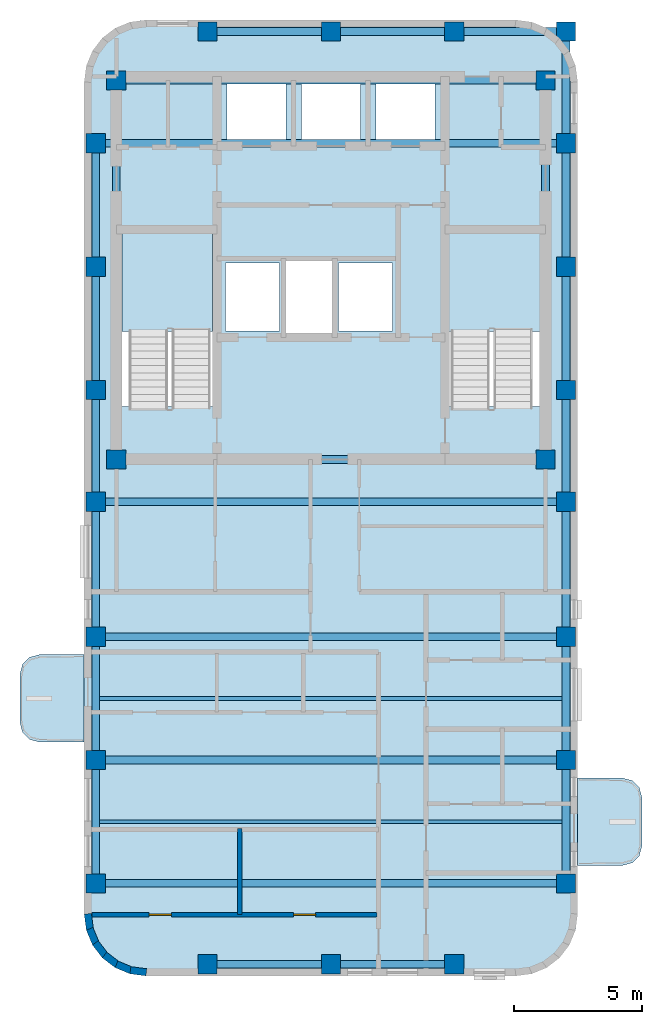
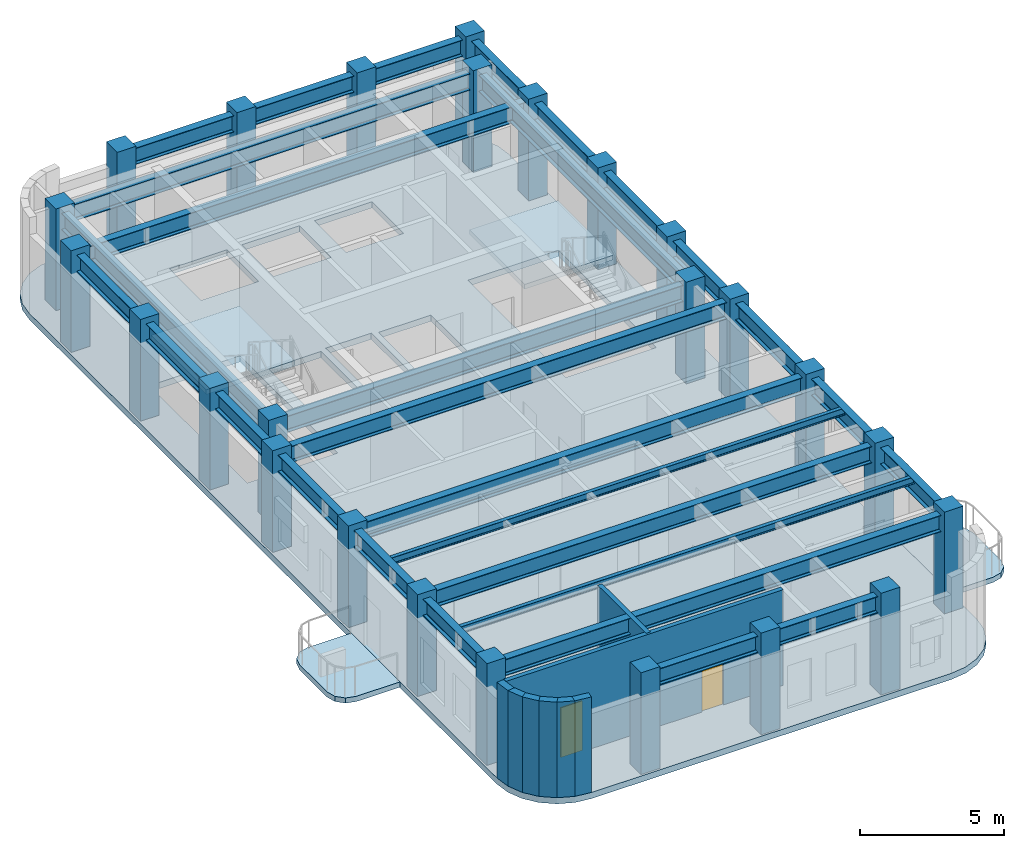
# One storey, part 1 of 6: 29 beams, 25 columns, 8 walls, 5 slabs, 2 doors, 2 openings, 2 elements without a shape of their own.
"""IFC4 building model written with IfcOpenShell, lengths in metres."""

from ifc_helpers import new_model, si_unit, direction, frame, frame_2d, origin, origin_2d, place, context, subcontext, project, spatial, polyline, rectangle, i_section, outline, extrude, material, layer, layer_set, material_profile, profile_set, type_object, element, fill, aggregate, save


model = new_model("IFC4")

# Units and contexts
model_context = context("Model", 3, precision=1e-05, world=origin(), true_north=direction((0.0, 1.0)))
body_context = subcontext(model_context, "Body", "Model", "MODEL_VIEW")
ifc_project = project(units=[si_unit("LENGTHUNIT", "METRE"), si_unit("AREAUNIT", "SQUARE_METRE"), si_unit("VOLUMEUNIT", "CUBIC_METRE"), si_unit("PLANEANGLEUNIT", "RADIAN"), si_unit("MASSUNIT", "GRAM", prefix="KILO")], contexts=[model_context])

# Site, building, storey
site_placement = place(None, origin())
site = spatial("IfcSite", under=ifc_project, at=site_placement, CompositionType="ELEMENT")
building_placement = place(site_placement, origin())
building = spatial("IfcBuilding", under=site, at=building_placement, Name="Orvandelia Arch Residences", CompositionType="ELEMENT")
storey_placement = place(building_placement, frame((0.0, 0.0, 265.60009765625)))
storey = spatial("IfcBuildingStorey", under=building, at=storey_placement, Name="L69", CompositionType="ELEMENT", Elevation=265.60009765625)

# Columns
ifc_material_1 = material(Name="Concrete C50/60", Category="concrete")
ifc_material_profile_1 = material_profile(ifc_material_1, rectangle(XDim=0.75, YDim=0.75, at=origin_2d()), Name="Concrete C50/60", Category="concrete")
ifc_profile_set_1 = profile_set([ifc_material_profile_1], Name="Concrete C50/60")
column_type = type_object("IfcColumnType", Name="COL-TWR-750", PredefinedType="COLUMN", material=ifc_profile_set_1)
for number, where, z_axis, x_axis, name in (
    (1, (5.25, 14.39990234375, 0.0), (0.0, 0.0, 1.0), (1.0, 0.0, 0.0), "Structural Column L69-W-W-144"),
    (2, (5.25, 19.199951171875, 0.0), (0.0, 0.0, 1.0), (1.0, 0.0, 0.0), "Structural Column L69-W-W-192"),
    (3, (5.25, 24.0, 0.0), (0.0, 0.0, 1.0), (1.0, 0.0, 0.0), "Structural Column L69-W-W-240"),
    (4, (5.25, 29.25, 0.0), (0.0, 0.0, 1.0), (1.0, 0.0, 0.0), "Structural Column L69-W-W-292"),
    (5, (5.25, 33.60009765625, 0.0), (0.0, 0.0, 1.0), (1.0, 0.0, 0.0), "Structural Column L69-W-W-336"),
    (6, (5.25, 38.39990234375, 0.0), (0.0, 0.0, 1.0), (1.0, 0.0, 0.0), "Structural Column L69-W-W-384"),
    (7, (5.25, 43.199951171875, 0.0), (0.0, 0.0, 1.0), (1.0, 0.0, 0.0), "Structural Column L69-W-W-432"),
    (8, (6.050048828125, 30.89990234375, 0.0), (0.0, 0.0, 1.0), (1.0, 0.0, 0.0), "Structural Column L69-CR-SW"),
    (9, (6.050048828125, 45.64990234375, 0.0), (0.0, 0.0, 1.0), (1.0, 0.0, 0.0), "Structural Column L69-CR-NW"),
    (10, (9.60009765625, 11.25, 0.0), (0.0, 0.0, 1.0), (1.0, 0.0, 0.0), "Structural Column L69-W-S-96"),
    (11, (9.60009765625, 47.550048828125, 0.0), (0.0, 0.0, 1.0), (1.0, 0.0, 0.0), "Structural Column L69-W-N-96"),
    (12, (14.39990234375, 11.25, 0.0), (0.0, 0.0, 1.0), (1.0, 0.0, 0.0), "Structural Column L69-W-S-144"),
    (13, (14.39990234375, 47.550048828125, 0.0), (0.0, 0.0, 1.0), (1.0, 0.0, 0.0), "Structural Column L69-W-N-144"),
    (14, (19.199951171875, 11.25, 0.0), (0.0, 0.0, 1.0), (1.0, 0.0, 0.0), "Structural Column L69-W-S-192"),
    (15, (19.199951171875, 47.550048828125, 0.0), (0.0, 0.0, 1.0), (1.0, 0.0, 0.0), "Structural Column L69-W-N-192"),
    (16, (22.75, 30.89990234375, 0.0), (0.0, 0.0, 1.0), (1.0, 0.0, 0.0), "Structural Column L69-CR-SE"),
    (17, (22.75, 45.64990234375, 0.0), (0.0, 0.0, 1.0), (1.0, 0.0, 0.0), "Structural Column L69-CR-NE"),
    (18, (23.550048828125, 14.39990234375, 0.0), (0.0, 0.0, 1.0), (1.0, 0.0, 0.0), "Structural Column L69-W-E-144"),
    (19, (23.550048828125, 19.199951171875, 0.0), (0.0, 0.0, 1.0), (1.0, 0.0, 0.0), "Structural Column L69-W-E-192"),
    (20, (23.550048828125, 24.0, 0.0), (0.0, 0.0, 1.0), (1.0, 0.0, 0.0), "Structural Column L69-W-E-240"),
    (21, (23.550048828125, 29.25, 0.0), (0.0, 0.0, 1.0), (1.0, 0.0, 0.0), "Structural Column L69-W-E-292"),
    (22, (23.550048828125, 33.60009765625, 0.0), (0.0, 0.0, 1.0), (1.0, 0.0, 0.0), "Structural Column L69-W-E-336"),
    (23, (23.550048828125, 38.39990234375, 0.0), (0.0, 0.0, 1.0), (1.0, 0.0, 0.0), "Structural Column L69-W-E-384"),
    (24, (23.550048828125, 43.199951171875, 0.0), (0.0, 0.0, 1.0), (1.0, 0.0, 0.0), "Structural Column L69-W-E-432"),
    (25, (23.550048828125, 47.550048828125, 0.0), (0.0, 0.0, 1.0), (1.0, 0.0, 0.0), "Structural Column L69-W-N-235"),
):
    element("IfcColumn", number, at=place(storey_placement, frame(where, z_axis=z_axis, x_axis=x_axis)), inside=storey, type_object=column_type, Name=name, PredefinedType="COLUMN", context=body_context, shape_type="SweptSolid", body=[
        extrude(rectangle(XDim=0.75, YDim=0.75, at=origin_2d()), origin(), (0.0, 0.0, 1.0), 4.2998046875),
    ])

# Beams
ifc_material_2 = material(Name="Structural Steel SM355 (355 MPa)", Category="steel")
ifc_material_profile_2 = material_profile(ifc_material_2, i_section(OverallWidth=0.300048828125, OverallDepth=0.699951171875, WebThickness=0.012939453125, FlangeThickness=0.02392578125, FilletRadius=0.02392578125, at=origin_2d()), Name="Structural Steel SM355 (355 MPa)", Category="steel")
ifc_profile_set_2 = profile_set([ifc_material_profile_2], Name="Structural Steel SM355 (355 MPa)")
beam_type_1 = type_object("IfcBeamType", Name="BM-GRD-H700", PredefinedType="BEAM", material=ifc_profile_set_2)
for number, where, z_axis, x_axis, name in (
    (26, (5.25, 14.39990234375, 3.68994140625), (0.0, 1.0, 0.0), (-1.0, 0.0, 0.0), "Structural Frame Beam L69-NS-001"),
    (27, (5.25, 19.199951171875, 3.68994140625), (0.0, 1.0, 0.0), (-1.0, 0.0, 0.0), "Structural Frame Beam L69-NS-002"),
):
    element("IfcBeam", number, at=place(storey_placement, frame(where, z_axis=z_axis, x_axis=x_axis)), inside=storey, type_object=beam_type_1, Name=name, PredefinedType="BEAM", context=body_context, shape_type="SweptSolid", body=[
        extrude(i_section(OverallWidth=0.300048828125, OverallDepth=0.699951171875, WebThickness=0.012939453125, FlangeThickness=0.02392578125, FilletRadius=0.02392578125, at=origin_2d()), origin(), (0.0, 0.0, 1.0), 4.800048828125),
    ])
beam_1_placement = place(storey_placement, frame((5.25, 24.0, 3.68994140625), z_axis=(0.0, 1.0, 0.0), x_axis=(-1.0, 0.0, 0.0)))
element("IfcBeam", 28, at=beam_1_placement, inside=storey, type_object=beam_type_1, Name="Structural Frame Beam L69-NS-003", PredefinedType="BEAM", context=body_context, shape_type="SweptSolid", body=[
    extrude(i_section(OverallWidth=0.300048828125, OverallDepth=0.699951171875, WebThickness=0.012939453125, FlangeThickness=0.02392578125, FilletRadius=0.02392578125, at=origin_2d()), origin(), (0.0, 0.0, 1.0), 5.25),
])
beam_2_placement = place(storey_placement, frame((5.25, 29.25, 3.68994140625), z_axis=(0.0, 1.0, 0.0), x_axis=(-1.0, 0.0, 0.0)))
element("IfcBeam", 29, at=beam_2_placement, inside=storey, type_object=beam_type_1, Name="Structural Frame Beam L69-NS-004", PredefinedType="BEAM", context=body_context, shape_type="SweptSolid", body=[
    extrude(i_section(OverallWidth=0.300048828125, OverallDepth=0.699951171875, WebThickness=0.012939453125, FlangeThickness=0.02392578125, FilletRadius=0.02392578125, at=origin_2d()), origin(), (0.0, 0.0, 1.0), 4.35009765625),
])
beam_3_placement = place(storey_placement, frame((5.25, 33.60009765625, 3.68994140625), z_axis=(0.0, 1.0, 0.0), x_axis=(-1.0, 0.0, 0.0)))
element("IfcBeam", 30, at=beam_3_placement, inside=storey, type_object=beam_type_1, Name="Structural Frame Beam L69-NS-005", PredefinedType="BEAM", context=body_context, shape_type="SweptSolid", body=[
    extrude(i_section(OverallWidth=0.300048828125, OverallDepth=0.699951171875, WebThickness=0.012939453125, FlangeThickness=0.02392578125, FilletRadius=0.02392578125, at=origin_2d()), origin(), (0.0, 0.0, 1.0), 4.7998046875),
])
beam_4_placement = place(storey_placement, frame((5.25, 38.39990234375, 3.68994140625), z_axis=(0.0, 1.0, 0.0), x_axis=(-1.0, 0.0, 0.0)))
element("IfcBeam", 31, at=beam_4_placement, inside=storey, type_object=beam_type_1, Name="Structural Frame Beam L69-NS-006", PredefinedType="BEAM", context=body_context, shape_type="SweptSolid", body=[
    extrude(i_section(OverallWidth=0.300048828125, OverallDepth=0.699951171875, WebThickness=0.012939453125, FlangeThickness=0.02392578125, FilletRadius=0.02392578125, at=origin_2d()), origin(), (0.0, 0.0, 1.0), 4.800048828125),
])
for number, where, z_axis, x_axis, name in (
    (32, (6.050048828125, 30.89990234375, 3.68994140625), (0.0, 1.0, 0.0), (-1.0, 0.0, 0.0), "Structural Frame Beam L69-NS-007"),
    (33, (22.75, 30.89990234375, 3.68994140625), (0.0, 1.0, 0.0), (-1.0, 0.0, 0.0), "Structural Frame Beam L69-NS-008"),
):
    element("IfcBeam", number, at=place(storey_placement, frame(where, z_axis=z_axis, x_axis=x_axis)), inside=storey, type_object=beam_type_1, Name=name, PredefinedType="BEAM", context=body_context, shape_type="SweptSolid", body=[
        extrude(i_section(OverallWidth=0.300048828125, OverallDepth=0.699951171875, WebThickness=0.012939453125, FlangeThickness=0.02392578125, FilletRadius=0.02392578125, at=origin_2d()), origin(), (0.0, 0.0, 1.0), 14.75),
    ])
for number, where, z_axis, x_axis, name in (
    (34, (23.550048828125, 14.39990234375, 3.68994140625), (0.0, 1.0, 0.0), (-1.0, 0.0, 0.0), "Structural Frame Beam L69-NS-009"),
    (35, (23.550048828125, 19.199951171875, 3.68994140625), (0.0, 1.0, 0.0), (-1.0, 0.0, 0.0), "Structural Frame Beam L69-NS-010"),
):
    element("IfcBeam", number, at=place(storey_placement, frame(where, z_axis=z_axis, x_axis=x_axis)), inside=storey, type_object=beam_type_1, Name=name, PredefinedType="BEAM", context=body_context, shape_type="SweptSolid", body=[
        extrude(i_section(OverallWidth=0.300048828125, OverallDepth=0.699951171875, WebThickness=0.012939453125, FlangeThickness=0.02392578125, FilletRadius=0.02392578125, at=origin_2d()), origin(), (0.0, 0.0, 1.0), 4.800048828125),
    ])
beam_5_placement = place(storey_placement, frame((23.550048828125, 24.0, 3.68994140625), z_axis=(0.0, 1.0, 0.0), x_axis=(-1.0, 0.0, 0.0)))
element("IfcBeam", 36, at=beam_5_placement, inside=storey, type_object=beam_type_1, Name="Structural Frame Beam L69-NS-011", PredefinedType="BEAM", context=body_context, shape_type="SweptSolid", body=[
    extrude(i_section(OverallWidth=0.300048828125, OverallDepth=0.699951171875, WebThickness=0.012939453125, FlangeThickness=0.02392578125, FilletRadius=0.02392578125, at=origin_2d()), origin(), (0.0, 0.0, 1.0), 5.25),
])
beam_6_placement = place(storey_placement, frame((23.550048828125, 29.25, 3.68994140625), z_axis=(0.0, 1.0, 0.0), x_axis=(-1.0, 0.0, 0.0)))
element("IfcBeam", 37, at=beam_6_placement, inside=storey, type_object=beam_type_1, Name="Structural Frame Beam L69-NS-012", PredefinedType="BEAM", context=body_context, shape_type="SweptSolid", body=[
    extrude(i_section(OverallWidth=0.300048828125, OverallDepth=0.699951171875, WebThickness=0.012939453125, FlangeThickness=0.02392578125, FilletRadius=0.02392578125, at=origin_2d()), origin(), (0.0, 0.0, 1.0), 4.35009765625),
])
beam_7_placement = place(storey_placement, frame((23.550048828125, 33.60009765625, 3.68994140625), z_axis=(0.0, 1.0, 0.0), x_axis=(-1.0, 0.0, 0.0)))
element("IfcBeam", 38, at=beam_7_placement, inside=storey, type_object=beam_type_1, Name="Structural Frame Beam L69-NS-013", PredefinedType="BEAM", context=body_context, shape_type="SweptSolid", body=[
    extrude(i_section(OverallWidth=0.300048828125, OverallDepth=0.699951171875, WebThickness=0.012939453125, FlangeThickness=0.02392578125, FilletRadius=0.02392578125, at=origin_2d()), origin(), (0.0, 0.0, 1.0), 4.7998046875),
])
beam_8_placement = place(storey_placement, frame((23.550048828125, 38.39990234375, 3.68994140625), z_axis=(0.0, 1.0, 0.0), x_axis=(-1.0, 0.0, 0.0)))
element("IfcBeam", 39, at=beam_8_placement, inside=storey, type_object=beam_type_1, Name="Structural Frame Beam L69-NS-014", PredefinedType="BEAM", context=body_context, shape_type="SweptSolid", body=[
    extrude(i_section(OverallWidth=0.300048828125, OverallDepth=0.699951171875, WebThickness=0.012939453125, FlangeThickness=0.02392578125, FilletRadius=0.02392578125, at=origin_2d()), origin(), (0.0, 0.0, 1.0), 4.800048828125),
])
beam_9_placement = place(storey_placement, frame((23.550048828125, 43.199951171875, 3.68994140625), z_axis=(0.0, 1.0, 0.0), x_axis=(-1.0, 0.0, 0.0)))
element("IfcBeam", 40, at=beam_9_placement, inside=storey, type_object=beam_type_1, Name="Structural Frame Beam L69-NS-015", PredefinedType="BEAM", context=body_context, shape_type="SweptSolid", body=[
    extrude(i_section(OverallWidth=0.300048828125, OverallDepth=0.699951171875, WebThickness=0.012939453125, FlangeThickness=0.02392578125, FilletRadius=0.02392578125, at=origin_2d()), origin(), (0.0, 0.0, 1.0), 4.35009765625),
])
beam_10_placement = place(storey_placement, frame((9.60009765625, 11.25, 3.68994140625), z_axis=(1.0, 0.0, 0.0), x_axis=(0.0, 1.0, 0.0)))
element("IfcBeam", 41, at=beam_10_placement, inside=storey, type_object=beam_type_1, Name="Structural Frame Girder L69-EW-016", PredefinedType="BEAM", context=body_context, shape_type="SweptSolid", body=[
    extrude(i_section(OverallWidth=0.300048828125, OverallDepth=0.699951171875, WebThickness=0.012939453125, FlangeThickness=0.02392578125, FilletRadius=0.02392578125, at=origin_2d()), origin(), (0.0, 0.0, 1.0), 4.7998046875),
])
beam_11_placement = place(storey_placement, frame((14.39990234375, 11.25, 3.68994140625), z_axis=(1.0, 0.0, 0.0), x_axis=(0.0, 1.0, 0.0)))
element("IfcBeam", 42, at=beam_11_placement, inside=storey, type_object=beam_type_1, Name="Structural Frame Girder L69-EW-017", PredefinedType="BEAM", context=body_context, shape_type="SweptSolid", body=[
    extrude(i_section(OverallWidth=0.300048828125, OverallDepth=0.699951171875, WebThickness=0.012939453125, FlangeThickness=0.02392578125, FilletRadius=0.02392578125, at=origin_2d()), origin(), (0.0, 0.0, 1.0), 4.800048828125),
])
for number, where, z_axis, x_axis, name in (
    (43, (5.25, 14.39990234375, 3.68994140625), (1.0, 0.0, 0.0), (0.0, 1.0, 0.0), "Structural Frame Girder L69-EW-018"),
    (44, (5.25, 19.199951171875, 3.68994140625), (1.0, 0.0, 0.0), (0.0, 1.0, 0.0), "Structural Frame Girder L69-EW-019"),
    (45, (5.25, 24.0, 3.68994140625), (1.0, 0.0, 0.0), (0.0, 1.0, 0.0), "Structural Frame Girder L69-EW-020"),
    (46, (5.25, 29.25, 3.68994140625), (1.0, 0.0, 0.0), (0.0, 1.0, 0.0), "Structural Frame Girder L69-EW-021"),
):
    element("IfcBeam", number, at=place(storey_placement, frame(where, z_axis=z_axis, x_axis=x_axis)), inside=storey, type_object=beam_type_1, Name=name, PredefinedType="BEAM", context=body_context, shape_type="SweptSolid", body=[
        extrude(i_section(OverallWidth=0.300048828125, OverallDepth=0.699951171875, WebThickness=0.012939453125, FlangeThickness=0.02392578125, FilletRadius=0.02392578125, at=origin_2d()), origin(), (0.0, 0.0, 1.0), 18.300048828125),
    ])
beam_12_placement = place(storey_placement, frame((6.050048828125, 30.89990234375, 3.68994140625), z_axis=(1.0, 0.0, 0.0), x_axis=(0.0, 1.0, 0.0)))
element("IfcBeam", 47, at=beam_12_placement, inside=storey, type_object=beam_type_1, Name="Structural Frame Girder L69-EW-022", PredefinedType="BEAM", context=body_context, shape_type="SweptSolid", body=[
    extrude(i_section(OverallWidth=0.300048828125, OverallDepth=0.699951171875, WebThickness=0.012939453125, FlangeThickness=0.02392578125, FilletRadius=0.02392578125, at=origin_2d()), origin(), (0.0, 0.0, 1.0), 16.699951171875),
])
beam_13_placement = place(storey_placement, frame((5.25, 43.199951171875, 3.68994140625), z_axis=(1.0, 0.0, 0.0), x_axis=(0.0, 1.0, 0.0)))
element("IfcBeam", 48, at=beam_13_placement, inside=storey, type_object=beam_type_1, Name="Structural Frame Girder L69-EW-025", PredefinedType="BEAM", context=body_context, shape_type="SweptSolid", body=[
    extrude(i_section(OverallWidth=0.300048828125, OverallDepth=0.699951171875, WebThickness=0.012939453125, FlangeThickness=0.02392578125, FilletRadius=0.02392578125, at=origin_2d()), origin(), (0.0, 0.0, 1.0), 18.300048828125),
])
beam_14_placement = place(storey_placement, frame((6.050048828125, 45.64990234375, 3.68994140625), z_axis=(1.0, 0.0, 0.0), x_axis=(0.0, 1.0, 0.0)))
element("IfcBeam", 49, at=beam_14_placement, inside=storey, type_object=beam_type_1, Name="Structural Frame Girder L69-EW-026", PredefinedType="BEAM", context=body_context, shape_type="SweptSolid", body=[
    extrude(i_section(OverallWidth=0.300048828125, OverallDepth=0.699951171875, WebThickness=0.012939453125, FlangeThickness=0.02392578125, FilletRadius=0.02392578125, at=origin_2d()), origin(), (0.0, 0.0, 1.0), 16.699951171875),
])
beam_15_placement = place(storey_placement, frame((9.60009765625, 47.550048828125, 3.68994140625), z_axis=(1.0, 0.0, 0.0), x_axis=(0.0, 1.0, 0.0)))
element("IfcBeam", 50, at=beam_15_placement, inside=storey, type_object=beam_type_1, Name="Structural Frame Girder L69-EW-027", PredefinedType="BEAM", context=body_context, shape_type="SweptSolid", body=[
    extrude(i_section(OverallWidth=0.300048828125, OverallDepth=0.699951171875, WebThickness=0.012939453125, FlangeThickness=0.02392578125, FilletRadius=0.02392578125, at=origin_2d()), origin(), (0.0, 0.0, 1.0), 4.7998046875),
])
beam_16_placement = place(storey_placement, frame((14.39990234375, 47.550048828125, 3.68994140625), z_axis=(1.0, 0.0, 0.0), x_axis=(0.0, 1.0, 0.0)))
element("IfcBeam", 51, at=beam_16_placement, inside=storey, type_object=beam_type_1, Name="Structural Frame Girder L69-EW-028", PredefinedType="BEAM", context=body_context, shape_type="SweptSolid", body=[
    extrude(i_section(OverallWidth=0.300048828125, OverallDepth=0.699951171875, WebThickness=0.012939453125, FlangeThickness=0.02392578125, FilletRadius=0.02392578125, at=origin_2d()), origin(), (0.0, 0.0, 1.0), 4.800048828125),
])
beam_17_placement = place(storey_placement, frame((19.199951171875, 47.550048828125, 3.68994140625), z_axis=(1.0, 0.0, 0.0), x_axis=(0.0, 1.0, 0.0)))
element("IfcBeam", 52, at=beam_17_placement, inside=storey, type_object=beam_type_1, Name="Structural Frame Girder L69-EW-029", PredefinedType="BEAM", context=body_context, shape_type="SweptSolid", body=[
    extrude(i_section(OverallWidth=0.300048828125, OverallDepth=0.699951171875, WebThickness=0.012939453125, FlangeThickness=0.02392578125, FilletRadius=0.02392578125, at=origin_2d()), origin(), (0.0, 0.0, 1.0), 4.35009765625),
])
ifc_material_profile_3 = material_profile(ifc_material_2, i_section(OverallWidth=0.14990234375, OverallDepth=0.300048828125, WebThickness=0.006591796875, FlangeThickness=0.009033203125, FilletRadius=0.012939453125, at=origin_2d()), Name="Structural Steel SM355 (355 MPa)", Category="steel")
ifc_profile_set_3 = profile_set([ifc_material_profile_3], Name="Structural Steel SM355 (355 MPa)")
beam_type_2 = type_object("IfcBeamType", Name="BM-JST-H300", PredefinedType="JOIST", material=ifc_profile_set_3)
for number, where, z_axis, x_axis, name in (
    (53, (5.25, 16.800048828125, 3.889892578125), (1.0, 0.0, 0.0), (0.0, 1.0, 0.0), "Composite Floor Joist L69-J1"),
    (54, (5.25, 21.60009765625, 3.889892578125), (1.0, 0.0, 0.0), (0.0, 1.0, 0.0), "Composite Floor Joist L69-J2"),
):
    element("IfcBeam", number, at=place(storey_placement, frame(where, z_axis=z_axis, x_axis=x_axis)), inside=storey, type_object=beam_type_2, Name=name, PredefinedType="JOIST", context=body_context, shape_type="SweptSolid", body=[
        extrude(i_section(OverallWidth=0.14990234375, OverallDepth=0.300048828125, WebThickness=0.006591796875, FlangeThickness=0.009033203125, FilletRadius=0.012939453125, at=origin_2d()), origin(), (0.0, 0.0, 1.0), 18.300048828125),
    ])

# Slabs
ifc_material_3 = material(Name="Precast concrete C40/50", Category="concrete")
ifc_layer_1 = layer(ifc_material_3, 0.219970703125, Name="Precast concrete C40/50", Category="concrete")
ifc_layer_set_1 = layer_set([ifc_layer_1], Name="Precast concrete C40/50")
slab_type_1 = type_object("IfcSlabType", Name="SLB-BAL-220", PredefinedType="USERDEFINED", material=ifc_layer_set_1)
slab_1_placement = place(storey_placement, frame((0.0, 0.0, -0.22021484375)))
element("IfcSlab", 55, at=slab_1_placement, inside=storey, type_object=slab_type_1, Name="Tree Balcony Cantilever Slab BAL-L69-W1", ObjectType="BALCONY", PredefinedType="USERDEFINED", context=body_context, shape_type="SweptSolid", body=[
    extrude(outline(polyline([(4.800048828125, 19.89990234375), (4.800048828125, 23.300048828125), (3.050048828125, 23.300048828125), (2.675048828125, 23.199462890625), (2.400390625, 22.925048828125), (2.300048828125, 22.550048828125), (2.300048828125, 20.64990234375), (2.400390625, 20.27490234375), (2.675048828125, 20.00048828125), (3.050048828125, 19.89990234375), (4.800048828125, 19.89990234375)])), origin(), (0.0, 0.0, 1.0), 0.22021484375),
])
slab_2_placement = place(storey_placement, frame((0.0, 0.0, -0.22021484375)))
element("IfcSlab", 56, at=slab_2_placement, inside=storey, type_object=slab_type_1, Name="Tree Balcony Cantilever Slab BAL-L69-W2", ObjectType="BALCONY", PredefinedType="USERDEFINED", context=body_context, shape_type="SweptSolid", body=[
    extrude(outline(polyline([(24.0, 18.5), (24.0, 15.10009765625), (25.75, 15.10009765625), (26.125, 15.200439453125), (26.3994140625, 15.47509765625), (26.5, 15.85009765625), (26.5, 17.75), (26.3994140625, 18.125), (26.125, 18.3994140625), (25.75, 18.5), (24.0, 18.5)])), origin(), (0.0, 0.0, 1.0), 0.22021484375),
])

# Stair, slab
ifc_material_4 = material(Name="Concrete C40/50", Category="concrete")
stair_type = type_object("IfcStairType", Name="STAIR-RC-DOGLEG", PredefinedType="HALF_TURN_STAIR", material=ifc_material_4)
stair_1_placement = place(storey_placement, origin())
stair_1 = element("IfcStair", 57, at=stair_1_placement, inside=storey, type_object=stair_type, Name="L69 Protected Exit Stair ST-1", PredefinedType="HALF_TURN_STAIR")
ifc_layer_2 = layer(ifc_material_4, 0.219970703125, Name="Concrete C40/50", Category="concrete")
ifc_layer_set_2 = layer_set([ifc_layer_2], Name="Concrete C40/50")
slab_type_2 = type_object("IfcSlabType", Name="SLB-LANDING-220", PredefinedType="LANDING", material=ifc_layer_set_2)
slab_3_placement = place(storey_placement, frame((0.0, 0.0, 1.949951171875)))
slab_3 = element("IfcSlab", 58, at=slab_3_placement, type_object=slab_type_2, Name="ST-1 landing 1", PredefinedType="LANDING", context=body_context, shape_type="SweptSolid", body=[
    extrude(outline(polyline([(9.800048828125, 35.8701171875), (9.800048828125, 39.68994140625), (6.260009765625, 39.68994140625), (6.260009765625, 35.8701171875), (9.800048828125, 35.8701171875)])), origin(), (0.0, 0.0, 1.0), 0.199951171875),
])
aggregate(stair_1, [slab_3])

stair_2_placement = place(storey_placement, origin())
stair_2 = element("IfcStair", 59, at=stair_2_placement, inside=storey, type_object=stair_type, Name="L69 Protected Exit Stair ST-2", PredefinedType="HALF_TURN_STAIR")
slab_4_placement = place(storey_placement, frame((0.0, 0.0, 1.949951171875)))
slab_4 = element("IfcSlab", 60, at=slab_4_placement, type_object=slab_type_2, Name="ST-2 landing 1", PredefinedType="LANDING", context=body_context, shape_type="SweptSolid", body=[
    extrude(outline(polyline([(22.5400390625, 35.8701171875), (22.5400390625, 39.68994140625), (19.0, 39.68994140625), (19.0, 35.8701171875), (22.5400390625, 35.8701171875)])), origin(), (0.0, 0.0, 1.0), 0.199951171875),
])
aggregate(stair_2, [slab_4])

# Slab
ifc_layer_3 = layer(ifc_material_4, 0.260009765625, Name="Concrete C40/50", Category="concrete")
ifc_layer_set_3 = layer_set([ifc_layer_3], Name="Concrete C40/50")
slab_type_3 = type_object("IfcSlabType", Name="SLB-TWR-260", PredefinedType="FLOOR", material=ifc_layer_set_3)
slab_5_placement = place(storey_placement, frame((0.0, 0.0, -0.260009765625)))
element("IfcSlab", 61, at=slab_5_placement, inside=storey, type_object=slab_type_3, Name="Structural Floor Slab L69-1", PredefinedType="FLOOR", context=body_context, shape_type="SweptSolid", body=[
    extrude(outline(polyline([(4.800048828125, 13.199951171875), (4.8818359375, 12.578857421875), (5.12158203125, 12.0), (5.5029296875, 11.5029296875), (6.0, 11.12158203125), (6.578857421875, 10.8818359375), (7.199951171875, 10.800048828125), (21.60009765625, 10.800048828125), (22.22119140625, 10.8818359375), (22.800048828125, 11.12158203125), (23.297119140625, 11.5029296875), (23.678466796875, 12.0), (23.918212890625, 12.578857421875), (24.0, 13.199951171875), (24.0, 45.60009765625), (23.918212890625, 46.22119140625), (23.678466796875, 46.800048828125), (23.297119140625, 47.297119140625), (22.800048828125, 47.678466796875), (22.22119140625, 47.918212890625), (21.60009765625, 48.0), (7.199951171875, 48.0), (6.578857421875, 47.918212890625), (6.0, 47.678466796875), (5.5029296875, 47.297119140625), (5.12158203125, 46.800048828125), (4.8818359375, 46.22119140625), (4.800048828125, 45.60009765625), (4.800048828125, 13.199951171875)]), holes=[polyline([(6.219970703125, 32.949951171875), (9.840087890625, 32.949951171875), (9.840087890625, 39.72998046875), (6.219970703125, 39.72998046875), (6.219970703125, 32.949951171875)]), polyline([(18.9599609375, 32.949951171875), (22.580078125, 32.949951171875), (22.580078125, 39.72998046875), (18.9599609375, 39.72998046875), (18.9599609375, 32.949951171875)]), polyline([(12.639892578125, 35.81005859375), (14.4599609375, 35.81005859375), (14.4599609375, 38.639892578125), (12.639892578125, 38.639892578125), (12.639892578125, 35.81005859375)]), polyline([(10.300048828125, 35.89990234375), (12.39990234375, 35.89990234375), (12.39990234375, 38.550048828125), (10.300048828125, 38.550048828125), (10.300048828125, 35.89990234375)]), polyline([(14.699951171875, 35.89990234375), (16.800048828125, 35.89990234375), (16.800048828125, 38.550048828125), (14.699951171875, 38.550048828125), (14.699951171875, 35.89990234375)]), polyline([(10.35009765625, 43.300048828125), (12.64990234375, 43.300048828125), (12.64990234375, 45.5), (10.35009765625, 45.5), (10.35009765625, 43.300048828125)]), polyline([(13.25, 43.300048828125), (15.550048828125, 43.300048828125), (15.550048828125, 45.5), (13.25, 45.5), (13.25, 43.300048828125)]), polyline([(16.14990234375, 43.300048828125), (18.449951171875, 43.300048828125), (18.449951171875, 45.5), (16.14990234375, 45.5), (16.14990234375, 43.300048828125)])]), origin(), (0.0, 0.0, 1.0), 0.260009765625),
])

# Walls
ifc_layer_4 = layer(ifc_material_3, 0.280029296875, Name="Precast concrete C40/50", Category="concrete")
ifc_layer_set_4 = layer_set([ifc_layer_4], Name="Precast concrete C40/50")
wall_type_1 = type_object("IfcWallType", Name="WL-EXT-STONE-280", PredefinedType="STANDARD", material=ifc_layer_set_4)
wall_1_placement = place(storey_placement, frame((7.21826171875, 10.938720703125, 0.0), z_axis=(0.0, 0.0, 1.0), x_axis=(-0.9914410257, 0.130555323746, 0.0)))
element("IfcWall", 62, at=wall_1_placement, inside=storey, type_object=wall_type_1, Name="Coral-Limestone Precast Facade Wall L69-022", PredefinedType="STANDARD", context=body_context, shape_type="SweptSolid", body=[
    extrude(rectangle(XDim=0.62646484375, YDim=0.280029296875, at=frame_2d((0.313232421875, 0.0))), origin(), (0.0, 0.0, 1.0), 4.039794921875),
])
wall_2_placement = place(storey_placement, frame((6.63232421875, 11.010986328125, 0.0), z_axis=(0.0, 0.0, 1.0), x_axis=(-0.923836271867, 0.382787856107, 0.0)))
element("IfcWall", 63, at=wall_2_placement, inside=storey, type_object=wall_type_1, Name="Coral-Limestone Precast Facade Wall L69-023", PredefinedType="STANDARD", context=body_context, shape_type="SweptSolid", body=[
    extrude(rectangle(XDim=0.626220703125, YDim=0.280029296875, at=frame_2d((0.31298828125, 0.0))), origin(), (0.0, 0.0, 1.0), 4.039794921875),
])
for number, where, z_axis, x_axis, name in (
    (64, (6.085205078125, 11.232666015625, 0.0), (0.0, 0.0, 1.0), (-0.793405610854, 0.608693302629, 0.0), "Coral-Limestone Precast Facade Wall L69-024"),
    (65, (5.614013671875, 11.588134765625, 0.0), (0.0, 0.0, 1.0), (-0.608693302629, 0.793405610854, 0.0), "Coral-Limestone Precast Facade Wall L69-025"),
):
    element("IfcWall", number, at=place(storey_placement, frame(where, z_axis=z_axis, x_axis=x_axis)), inside=storey, type_object=wall_type_1, Name=name, PredefinedType="STANDARD", context=body_context, shape_type="SweptSolid", body=[
        extrude(rectangle(XDim=0.62646484375, YDim=0.280029296875, at=frame_2d((0.313232421875, 0.0))), origin(), (0.0, 0.0, 1.0), 4.039794921875),
    ])
wall_3_placement = place(storey_placement, frame((5.250732421875, 12.0537109375, 0.0), z_axis=(0.0, 0.0, 1.0), x_axis=(-0.382787856107, 0.923836271867, 0.0)))
element("IfcWall", 66, at=wall_3_placement, inside=storey, type_object=wall_type_1, Name="Coral-Limestone Precast Facade Wall L69-026", PredefinedType="STANDARD", context=body_context, shape_type="SweptSolid", body=[
    extrude(rectangle(XDim=0.626220703125, YDim=0.280029296875, at=frame_2d((0.31298828125, 0.0))), origin(), (0.0, 0.0, 1.0), 4.039794921875),
])
wall_4_placement = place(storey_placement, frame((5.0205078125, 12.59716796875, 0.0), z_axis=(0.0, 0.0, 1.0), x_axis=(-0.130555323746, 0.9914410257, 0.0)))
element("IfcWall", 67, at=wall_4_placement, inside=storey, type_object=wall_type_1, Name="Coral-Limestone Precast Facade Wall L69-027", PredefinedType="STANDARD", context=body_context, shape_type="SweptSolid", body=[
    extrude(rectangle(XDim=0.62646484375, YDim=0.280029296875, at=frame_2d((0.313232421875, 0.0))), origin(), (0.0, 0.0, 1.0), 4.039794921875),
])

# Wall, openings, doors
ifc_material_5 = material(Name="Moisture-Resistant Plumbing Wall")
ifc_layer_5 = layer(ifc_material_5, 0.179931640625, Name="Moisture-Resistant Plumbing Wall")
ifc_layer_set_5 = layer_set([ifc_layer_5], Name="Moisture-Resistant Plumbing Wall")
wall_type_2 = type_object("IfcWallType", Name="WL-WET-180", PredefinedType="PLUMBINGWALL", material=ifc_layer_set_5)
wall_5_placement = place(storey_placement, frame((5.10009765625, 13.179931640625, 0.0), z_axis=(0.0, 0.0, 1.0), x_axis=(1.0, 0.0, 0.0)))
wall_5 = element("IfcWall", 68, at=wall_5_placement, inside=storey, type_object=wall_type_2, Name="Interior Partition Wall WL-L69-U01-HZ", PredefinedType="PLUMBINGWALL", context=body_context, shape_type="SweptSolid", body=[
    extrude(rectangle(XDim=11.08984375, YDim=0.179931640625, at=frame_2d((5.544921875, 0.0))), origin(), (0.0, 0.0, 1.0), 4.039794921875),
])
opening_1_placement = place(wall_5_placement, frame((2.22900390625, 0.0, 0.0)))
opening_1 = element("IfcOpeningElement", 69, at=opening_1_placement, cuts=wall_5, Name="Opening D4", PredefinedType="OPENING", context=body_context, shape_type="SweptSolid", body=[
    extrude(rectangle(XDim=0.860107421875, YDim=2.10009765625, at=frame_2d((0.43017578125, 1.050048828125))), frame((0.0, 0.10009765625, 0.0), z_axis=(0.0, -1.0, 0.0), x_axis=(1.0, 0.0, 0.0)), (0.0, 0.0, 1.0), 0.199951171875),
])
opening_2_placement = place(wall_5_placement, frame((7.843994140625, 0.0, 0.0)))
opening_2 = element("IfcOpeningElement", 70, at=opening_2_placement, cuts=wall_5, Name="Opening D4", PredefinedType="OPENING", context=body_context, shape_type="SweptSolid", body=[
    extrude(rectangle(XDim=0.860107421875, YDim=2.10009765625, at=frame_2d((0.43017578125, 1.050048828125))), frame((0.0, 0.10009765625, 0.0), z_axis=(0.0, -1.0, 0.0), x_axis=(1.0, 0.0, 0.0)), (0.0, 0.0, 1.0), 0.199951171875),
])
ifc_material_6 = material(Name="Moisture-Sealed Timber Bathroom Door", Category="wood")
door_type = type_object("IfcDoorType", Name="DR-WET-900", OperationType="NOTDEFINED", PredefinedType="DOOR", material=ifc_material_6)
door_1_placement = place(opening_1_placement, origin())
door_1 = element("IfcDoor", 71, at=door_1_placement, inside=storey, type_object=door_type, Name="DR-L69-U01-KIT", OperationType="SINGLE_SWING_LEFT", OverallHeight=2.10009765625, OverallWidth=0.860107421875, PredefinedType="DOOR", context=body_context, shape_type="SweptSolid", body=[
    extrude(rectangle(XDim=0.860107421875, YDim=2.10009765625, at=frame_2d((0.43017578125, 1.050048828125))), frame((0.0, 0.02490234375, 0.0), z_axis=(0.0, -1.0, 0.0), x_axis=(1.0, 0.0, 0.0)), (0.0, 0.0, 1.0), 0.050048828125),
])
fill(opening_1, door_1)
door_2_placement = place(opening_2_placement, origin())
door_2 = element("IfcDoor", 72, at=door_2_placement, inside=storey, type_object=door_type, Name="DR-L69-U01-BTH", OperationType="SINGLE_SWING_RIGHT", OverallHeight=2.10009765625, OverallWidth=0.860107421875, PredefinedType="DOOR", context=body_context, shape_type="SweptSolid", body=[
    extrude(rectangle(XDim=0.860107421875, YDim=2.10009765625, at=frame_2d((0.43017578125, 1.050048828125))), frame((0.0, 0.02490234375, 0.0), z_axis=(0.0, -1.0, 0.0), x_axis=(1.0, 0.0, 0.0)), (0.0, 0.0, 1.0), 0.050048828125),
])
fill(opening_2, door_2)

# Wall
wall_6_placement = place(storey_placement, frame((10.847900390625, 13.179931640625, 0.0), z_axis=(0.0, 0.0, 1.0), x_axis=(0.0, 1.0, 0.0)))
element("IfcWall", 73, at=wall_6_placement, inside=storey, type_object=wall_type_2, Name="Interior Partition Wall WL-L69-U01-V1", PredefinedType="PLUMBINGWALL", context=body_context, shape_type="SweptSolid", body=[
    extrude(rectangle(XDim=3.360107421875, YDim=0.179931640625, at=frame_2d((1.68017578125, 0.0))), origin(), (0.0, 0.0, 1.0), 4.039794921875),
])

save(model, "model.ifc")
